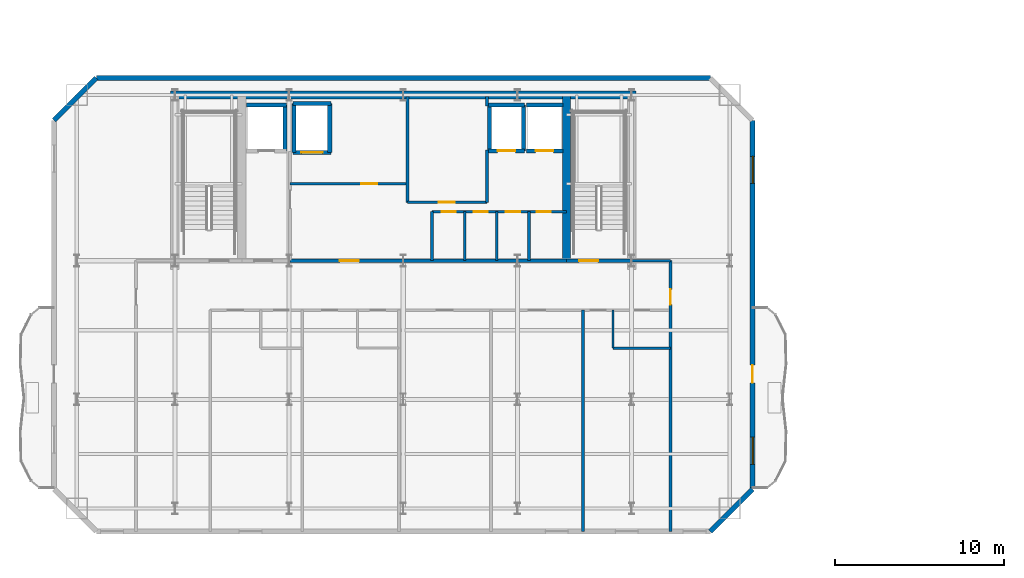
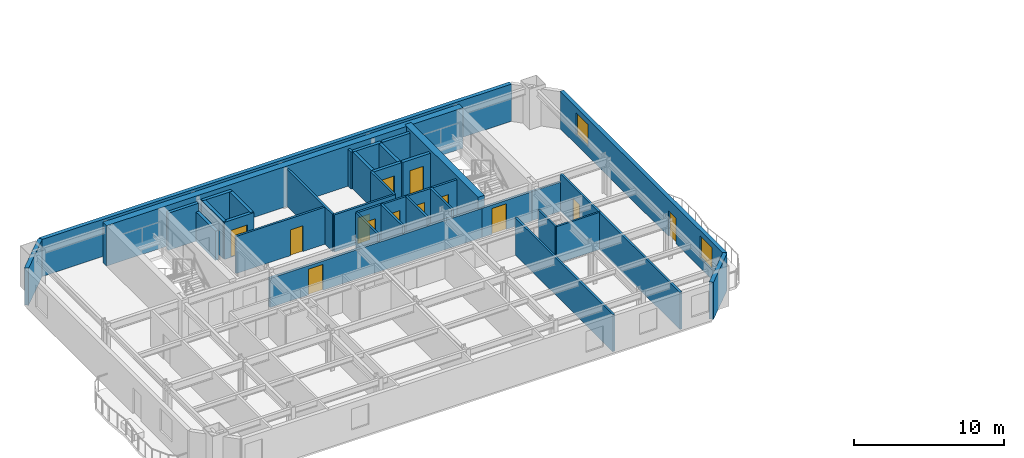
# One storey, part 6 of 13: 35 walls, 13 doors, 2 windows, 15 openings.
"""IFC4 building model written with IfcOpenShell, lengths in metres."""

from ifc_helpers import new_model, si_unit, direction, frame, frame_2d, origin, place, context, subcontext, project, spatial, rectangle, extrude, material, layer, layer_set, type_object, element, fill, save


model = new_model("IFC4")

# Units and contexts
model_context = context("Model", 3, precision=1e-05, world=origin(), true_north=direction((0.0, 1.0)))
body_context = subcontext(model_context, "Body", "Model", "MODEL_VIEW")
ifc_project = project(units=[si_unit("LENGTHUNIT", "METRE"), si_unit("AREAUNIT", "SQUARE_METRE"), si_unit("VOLUMEUNIT", "CUBIC_METRE"), si_unit("PLANEANGLEUNIT", "RADIAN"), si_unit("MASSUNIT", "GRAM", prefix="KILO")], contexts=[model_context])

# Site, building, storey
site_placement = place(None, origin())
site = spatial("IfcSite", under=ifc_project, at=site_placement, CompositionType="ELEMENT")
building_placement = place(site_placement, origin())
building = spatial("IfcBuilding", under=site, at=building_placement, Name="Haevon Station Towers", CompositionType="ELEMENT")
storey_placement = place(building_placement, frame((0.0, 0.0, 182.39990234375)))
storey = spatial("IfcBuildingStorey", under=building, at=storey_placement, Name="L50", CompositionType="ELEMENT", Elevation=182.39990234375)

# Wall, opening, door
ifc_material_1 = material(Name="Gypsum board on steel stud", Category="steel")
ifc_layer_1 = layer(ifc_material_1, 0.199951171875)
ifc_layer_set_1 = layer_set([ifc_layer_1], Name="Gypsum board on steel stud")
wall_type_1 = type_object("IfcWallType", Name="WL-COR200", PredefinedType="PARTITIONING", material=ifc_layer_set_1)
wall_1_placement = place(storey_placement, frame((47.14990234375, 38.199951171875, 0.0), z_axis=(0.0, 0.0, 1.0), x_axis=(1.0, 0.0, 0.0)))
wall_1 = element("IfcWall", 1, at=wall_1_placement, inside=storey, type_object=wall_type_1, Name="WL-ST-ST2-L50", PredefinedType="PARTITIONING", context=body_context, shape_type="SweptSolid", body=[
    extrude(rectangle(XDim=3.85009765625, YDim=0.199951171875, at=frame_2d((1.925048828125, 0.0))), origin(), (0.0, 0.0, 1.0), 2.380126953125),
])
opening_1_placement = place(wall_1_placement, frame((0.75, 0.0, 0.0)))
opening_1 = element("IfcOpeningElement", 2, at=opening_1_placement, cuts=wall_1, Name="Opening DR-ST-ST2-L50", PredefinedType="OPENING", context=body_context, shape_type="SweptSolid", body=[
    extrude(rectangle(XDim=1.1201171875, YDim=2.10009765625, at=frame_2d((0.56005859375, 1.050048828125))), frame((0.0, 0.10986328125, 0.0), z_axis=(0.0, -1.0, 0.0), x_axis=(1.0, 0.0, 0.0)), (0.0, 0.0, 1.0), 0.219970703125),
])
ifc_material_2 = material(Name="Engineered oak timber", Category="wood")
door_type_1 = type_object("IfcDoorType", Name="DR-ST-1120", OperationType="NOTDEFINED", PredefinedType="DOOR", material=ifc_material_2)
door_1_placement = place(opening_1_placement, origin())
door_1 = element("IfcDoor", 3, at=door_1_placement, inside=storey, type_object=door_type_1, Name="L50 Escape Stair ST2 Fire Door", OperationType="SINGLE_SWING_RIGHT", OverallHeight=2.10009765625, OverallWidth=1.1201171875, PredefinedType="DOOR", context=body_context, shape_type="SweptSolid", body=[
    extrude(rectangle(XDim=1.1201171875, YDim=2.10009765625, at=frame_2d((0.56005859375, 1.050048828125))), frame((0.0, 0.02490234375, 0.0), z_axis=(0.0, -1.0, 0.0), x_axis=(1.0, 0.0, 0.0)), (0.0, 0.0, 1.0), 0.050048828125),
])
fill(opening_1, door_1)

wall_2_placement = place(storey_placement, frame((30.800048828125, 38.199951171875, 0.0), z_axis=(0.0, 0.0, 1.0), x_axis=(1.0, 0.0, 0.0)))
wall_2 = element("IfcWall", 4, at=wall_2_placement, inside=storey, type_object=wall_type_1, Name="WL-T1CLB-L50", PredefinedType="PARTITIONING", context=body_context, shape_type="SweptSolid", body=[
    extrude(rectangle(XDim=16.349853515625, YDim=0.199951171875, at=frame_2d((8.1748046875, 0.0))), origin(), (0.0, 0.0, 1.0), 2.380126953125),
])
opening_2_placement = place(wall_2_placement, frame((2.949951171875, 0.0, 0.0)))
opening_2 = element("IfcOpeningElement", 5, at=opening_2_placement, cuts=wall_2, Name="Opening DR-T1CLB-L50-1", PredefinedType="OPENING", context=body_context, shape_type="SweptSolid", body=[
    extrude(rectangle(XDim=1.1201171875, YDim=2.10009765625, at=frame_2d((0.56005859375, 1.050048828125))), frame((0.0, 0.10986328125, 0.0), z_axis=(0.0, -1.0, 0.0), x_axis=(1.0, 0.0, 0.0)), (0.0, 0.0, 1.0), 0.219970703125),
])
door_2_placement = place(opening_2_placement, origin())
door_2 = element("IfcDoor", 6, at=door_2_placement, inside=storey, type_object=door_type_1, Name="L50 Tower 1 Core Lift Lobby Door 1", OperationType="SINGLE_SWING_LEFT", OverallHeight=2.10009765625, OverallWidth=1.1201171875, PredefinedType="DOOR", context=body_context, shape_type="SweptSolid", body=[
    extrude(rectangle(XDim=1.1201171875, YDim=2.10009765625, at=frame_2d((0.56005859375, 1.050048828125))), frame((0.0, 0.02490234375, 0.0), z_axis=(0.0, -1.0, 0.0), x_axis=(1.0, 0.0, 0.0)), (0.0, 0.0, 1.0), 0.050048828125),
])
fill(opening_2, door_2)

# Walls
ifc_material_3 = material(Name="Concrete C60/75", Category="concrete")
ifc_layer_2 = layer(ifc_material_3, 0.5)
ifc_layer_set_2 = layer_set([ifc_layer_2], Name="Concrete C60/75")
wall_type_2 = type_object("IfcWallType", Name="WL-CR500", PredefinedType="SHEAR", material=ifc_layer_set_2)
wall_3_placement = place(storey_placement, frame((23.75, 48.0, 0.0), z_axis=(0.0, 0.0, 1.0), x_axis=(1.0, 0.0, 0.0)))
element("IfcWall", 7, at=wall_3_placement, inside=storey, type_object=wall_type_2, Name="WL-T1CR-L50-N", PredefinedType="SHEAR", context=body_context, shape_type="SweptSolid", body=[
    extrude(rectangle(XDim=27.5, YDim=0.5, at=frame_2d((13.75, 0.0))), origin(), (0.0, 0.0, 1.0), 3.300048828125),
])
wall_4_placement = place(storey_placement, frame((47.14990234375, 38.199951171875, 0.0), z_axis=(0.0, 0.0, 1.0), x_axis=(0.0, 1.0, 0.0)))
element("IfcWall", 8, at=wall_4_placement, inside=storey, type_object=wall_type_2, Name="WL-T1CR-L50-M2", PredefinedType="SHEAR", context=body_context, shape_type="SweptSolid", body=[
    extrude(rectangle(XDim=9.800048828125, YDim=0.5, at=frame_2d((4.89990234375, 0.0))), origin(), (0.0, 0.0, 1.0), 3.300048828125),
])
ifc_material_4 = material(Name="Precast concrete C45/55", Category="concrete")
ifc_layer_3 = layer(ifc_material_4, 0.300048828125)
ifc_layer_set_3 = layer_set([ifc_layer_3], Name="Precast concrete C45/55")
wall_type_3 = type_object("IfcWallType", Name="WL-EXT-PIER300", PredefinedType="SOLIDWALL", material=ifc_layer_set_3)
wall_5_placement = place(storey_placement, frame((16.85009765625, 46.5, 0.0), z_axis=(0.0, 0.0, 1.0), x_axis=(0.707106781187, 0.707106781187, 0.0)))
element("IfcWall", 9, at=wall_5_placement, inside=storey, type_object=wall_type_3, Name="WL-T1-L50-NWC", PredefinedType="SOLIDWALL", context=body_context, shape_type="SweptSolid", body=[
    extrude(rectangle(XDim=3.53564453125, YDim=0.300048828125, at=frame_2d((1.767822265625, 0.0))), origin(), (0.0, 0.0, 1.0), 3.030029296875),
])
wall_6_placement = place(storey_placement, frame((19.35009765625, 49.0, 0.0), z_axis=(0.0, 0.0, 1.0), x_axis=(1.0, 0.0, 0.0)))
element("IfcWall", 10, at=wall_6_placement, inside=storey, type_object=wall_type_3, Name="WL-T1-L50-N", PredefinedType="SOLIDWALL", context=body_context, shape_type="SweptSolid", body=[
    extrude(rectangle(XDim=36.2998046875, YDim=0.300048828125, at=frame_2d((18.14990234375, 0.0))), origin(), (0.0, 0.0, 1.0), 3.030029296875),
])

# Wall, openings, door, windows
wall_7_placement = place(storey_placement, frame((58.14990234375, 46.5, 0.0), z_axis=(0.0, 0.0, 1.0), x_axis=(0.0, -1.0, 0.0)))
wall_7 = element("IfcWall", 11, at=wall_7_placement, inside=storey, type_object=wall_type_3, Name="WL-T1-L50-E", PredefinedType="SOLIDWALL", context=body_context, shape_type="SweptSolid", body=[
    extrude(rectangle(XDim=21.800048828125, YDim=0.300048828125, at=frame_2d((10.89990234375, 0.0))), origin(), (0.0, 0.0, 1.0), 3.030029296875),
])
opening_3_placement = place(wall_7_placement, frame((14.47509765625, 0.0, 0.0)))
opening_3 = element("IfcOpeningElement", 12, at=opening_3_placement, cuts=wall_7, Name="Opening DR-T1-SCAL-L50-E", PredefinedType="OPENING", context=body_context, shape_type="SweptSolid", body=[
    extrude(rectangle(XDim=1.050048828125, YDim=2.10009765625, at=frame_2d((0.52490234375, 1.050048828125))), frame((0.0, 0.159912109375, 0.0), z_axis=(0.0, -1.0, 0.0), x_axis=(1.0, 0.0, 0.0)), (0.0, 0.0, 1.0), 0.320068359375),
])
opening_4_placement = place(wall_7_placement, frame((2.128662109375, 0.0, 0.800048828125)))
opening_4 = element("IfcOpeningElement", 13, at=opening_4_placement, cuts=wall_7, Name="Opening WN-END160", PredefinedType="OPENING", context=body_context, shape_type="SweptSolid", body=[
    extrude(rectangle(XDim=1.60009765625, YDim=1.800048828125, at=frame_2d((0.800048828125, 0.89990234375))), frame((0.0, 0.159912109375, 0.0), z_axis=(0.0, -1.0, 0.0), x_axis=(1.0, 0.0, 0.0)), (0.0, 0.0, 1.0), 0.320068359375),
])
opening_5_placement = place(wall_7_placement, frame((18.735595703125, 0.0, 0.800048828125)))
opening_5 = element("IfcOpeningElement", 14, at=opening_5_placement, cuts=wall_7, Name="Opening WN-END160", PredefinedType="OPENING", context=body_context, shape_type="SweptSolid", body=[
    extrude(rectangle(XDim=1.60009765625, YDim=1.800048828125, at=frame_2d((0.800048828125, 0.89990234375))), frame((0.0, 0.159912109375, 0.0), z_axis=(0.0, -1.0, 0.0), x_axis=(1.0, 0.0, 0.0)), (0.0, 0.0, 1.0), 0.320068359375),
])
ifc_material_5 = material(Name="Thermally broken anodised aluminium and laminated safety glass", Category="aluminium")
door_type_2 = type_object("IfcDoorType", Name="DR-BALC-1050", OperationType="NOTDEFINED", PredefinedType="DOOR", material=ifc_material_5)
door_3_placement = place(opening_3_placement, origin())
door_3 = element("IfcDoor", 15, at=door_3_placement, inside=storey, type_object=door_type_2, Name="Tower 1 L50 East Scalloped Balcony Door", OperationType="SINGLE_SWING_RIGHT", OverallHeight=2.10009765625, OverallWidth=1.050048828125, PredefinedType="DOOR", context=body_context, shape_type="SweptSolid", body=[
    extrude(rectangle(XDim=1.050048828125, YDim=2.10009765625, at=frame_2d((0.52490234375, 1.050048828125))), frame((0.0, 0.02490234375, 0.0), z_axis=(0.0, -1.0, 0.0), x_axis=(1.0, 0.0, 0.0)), (0.0, 0.0, 1.0), 0.050048828125),
])
fill(opening_3, door_3)
ifc_material_6 = material(Name="Low-E triple glazing in thermally broken aluminium", Category="aluminium")
window_type = type_object("IfcWindowType", Name="WN-END160", PartitioningType="SINGLE_PANEL", PredefinedType="WINDOW", material=ifc_material_6)
window_1_placement = place(opening_4_placement, origin())
window_1 = element("IfcWindow", 16, at=window_1_placement, inside=storey, type_object=window_type, Name="WN-T1-L50-E01", OverallHeight=1.800048828125, OverallWidth=1.60009765625, PartitioningType="SINGLE_PANEL", PredefinedType="WINDOW", context=body_context, shape_type="SweptSolid", body=[
    extrude(rectangle(XDim=1.60009765625, YDim=1.800048828125, at=frame_2d((0.800048828125, 0.89990234375))), frame((0.0, 0.030029296875, 0.0), z_axis=(0.0, -1.0, 0.0), x_axis=(1.0, 0.0, 0.0)), (0.0, 0.0, 1.0), 0.06005859375),
])
fill(opening_4, window_1)
window_2_placement = place(opening_5_placement, origin())
window_2 = element("IfcWindow", 17, at=window_2_placement, inside=storey, type_object=window_type, Name="WN-T1-L50-E02", OverallHeight=1.800048828125, OverallWidth=1.60009765625, PartitioningType="SINGLE_PANEL", PredefinedType="WINDOW", context=body_context, shape_type="SweptSolid", body=[
    extrude(rectangle(XDim=1.60009765625, YDim=1.800048828125, at=frame_2d((0.800048828125, 0.89990234375))), frame((0.0, 0.030029296875, 0.0), z_axis=(0.0, -1.0, 0.0), x_axis=(1.0, 0.0, 0.0)), (0.0, 0.0, 1.0), 0.06005859375),
])
fill(opening_5, window_2)

# Walls
wall_8_placement = place(storey_placement, frame((58.14990234375, 24.699951171875, 0.0), z_axis=(0.0, 0.0, 1.0), x_axis=(-0.707106781187, -0.707106781187, 0.0)))
element("IfcWall", 18, at=wall_8_placement, inside=storey, type_object=wall_type_3, Name="WL-T1-L50-SEC", PredefinedType="SOLIDWALL", context=body_context, shape_type="SweptSolid", body=[
    extrude(rectangle(XDim=3.53564453125, YDim=0.300048828125, at=frame_2d((1.767822265625, 0.0))), origin(), (0.0, 0.0, 1.0), 3.030029296875),
])
ifc_layer_4 = layer(ifc_material_1, 0.125)
ifc_layer_set_4 = layer_set([ifc_layer_4], Name="Gypsum board on steel stud")
wall_type_4 = type_object("IfcWallType", Name="WL-PRT125", PredefinedType="PARTITIONING", material=ifc_layer_set_4)
wall_9_placement = place(storey_placement, frame((49.908203125, 33.030029296875, 0.0), z_axis=(0.0, 0.0, 1.0), x_axis=(0.0, 1.0, 0.0)))
element("IfcWall", 19, at=wall_9_placement, inside=storey, type_object=wall_type_4, Name="WL-T1PT-L50-15", PredefinedType="PARTITIONING", context=body_context, shape_type="SweptSolid", body=[
    extrude(rectangle(XDim=2.25, YDim=0.125, at=frame_2d((1.125, 0.0))), origin(), (0.0, 0.0, 1.0), 3.030029296875),
])
ifc_layer_5 = layer(ifc_material_1, 0.139892578125)
ifc_layer_set_5 = layer_set([ifc_layer_5], Name="Gypsum board on steel stud")
wall_type_5 = type_object("IfcWallType", Name="WL-PRT140", PredefinedType="PARTITIONING", material=ifc_layer_set_5)
wall_10_placement = place(storey_placement, frame((49.908203125, 33.030029296875, 0.0), z_axis=(0.0, 0.0, 1.0), x_axis=(1.0, 0.0, 0.0)))
element("IfcWall", 20, at=wall_10_placement, inside=storey, type_object=wall_type_5, Name="WL-T1PT-L50-14", PredefinedType="PARTITIONING", context=body_context, shape_type="SweptSolid", body=[
    extrude(rectangle(XDim=3.391845703125, YDim=0.139892578125, at=frame_2d((1.69580078125, 0.0))), origin(), (0.0, 0.0, 1.0), 3.030029296875),
])

# Wall, opening, door
ifc_layer_6 = layer(ifc_material_1, 0.159912109375)
ifc_layer_set_6 = layer_set([ifc_layer_6], Name="Gypsum board on steel stud")
wall_type_6 = type_object("IfcWallType", Name="WL-PRT160", PredefinedType="PARTITIONING", material=ifc_layer_set_6)
wall_11_placement = place(storey_placement, frame((30.800048828125, 42.75, 0.0), z_axis=(0.0, 0.0, 1.0), x_axis=(1.0, 0.0, 0.0)))
wall_11 = element("IfcWall", 21, at=wall_11_placement, inside=storey, type_object=wall_type_6, Name="WL-T1CW-L50-01", PredefinedType="PARTITIONING", context=body_context, shape_type="SweptSolid", body=[
    extrude(rectangle(XDim=6.949951171875, YDim=0.159912109375, at=frame_2d((3.47509765625, 0.0))), origin(), (0.0, 0.0, 1.0), 3.030029296875),
])
opening_6_placement = place(wall_11_placement, frame((4.199951171875, 0.0, 0.0)))
opening_6 = element("IfcOpeningElement", 22, at=opening_6_placement, cuts=wall_11, Name="Opening DR-WL-T1CW-L50-01-1", PredefinedType="OPENING", context=body_context, shape_type="SweptSolid", body=[
    extrude(rectangle(XDim=0.949951171875, YDim=2.10009765625, at=frame_2d((0.47509765625, 1.050048828125))), frame((0.0, 0.08984375, 0.0), z_axis=(0.0, -1.0, 0.0), x_axis=(1.0, 0.0, 0.0)), (0.0, 0.0, 1.0), 0.179931640625),
])
door_type_3 = type_object("IfcDoorType", Name="DR-FD60-950", OperationType="NOTDEFINED", PredefinedType="DOOR", material=ifc_material_2)
door_4_placement = place(opening_6_placement, origin())
door_4 = element("IfcDoor", 23, at=door_4_placement, inside=storey, type_object=door_type_3, Name="L50 Tower 1 Core Room Door 1-1", OperationType="SINGLE_SWING_LEFT", OverallHeight=2.10009765625, OverallWidth=0.949951171875, PredefinedType="DOOR", context=body_context, shape_type="SweptSolid", body=[
    extrude(rectangle(XDim=0.949951171875, YDim=2.10009765625, at=frame_2d((0.47509765625, 1.050048828125))), frame((0.0, 0.02490234375, 0.0), z_axis=(0.0, -1.0, 0.0), x_axis=(1.0, 0.0, 0.0)), (0.0, 0.0, 1.0), 0.050048828125),
])
fill(opening_6, door_4)

# Wall
wall_12_placement = place(storey_placement, frame((37.75, 41.64990234375, 0.0), z_axis=(0.0, 0.0, 1.0), x_axis=(0.0, 1.0, 0.0)))
element("IfcWall", 24, at=wall_12_placement, inside=storey, type_object=wall_type_6, Name="WL-T1CW-L50-02", PredefinedType="PARTITIONING", context=body_context, shape_type="SweptSolid", body=[
    extrude(rectangle(XDim=6.25, YDim=0.159912109375, at=frame_2d((3.125, 0.0))), origin(), (0.0, 0.0, 1.0), 3.030029296875),
])

# Wall, opening, door
wall_13_placement = place(storey_placement, frame((37.75, 41.64990234375, 0.0), z_axis=(0.0, 0.0, 1.0), x_axis=(1.0, 0.0, 0.0)))
wall_13 = element("IfcWall", 25, at=wall_13_placement, inside=storey, type_object=wall_type_6, Name="WL-T1CW-L50-03", PredefinedType="PARTITIONING", context=body_context, shape_type="SweptSolid", body=[
    extrude(rectangle(XDim=4.699951171875, YDim=0.159912109375, at=frame_2d((2.35009765625, 0.0))), origin(), (0.0, 0.0, 1.0), 3.030029296875),
])
opening_7_placement = place(wall_13_placement, frame((1.85009765625, 0.0, 0.0)))
opening_7 = element("IfcOpeningElement", 26, at=opening_7_placement, cuts=wall_13, Name="Opening DR-WL-T1CW-L50-03-1", PredefinedType="OPENING", context=body_context, shape_type="SweptSolid", body=[
    extrude(rectangle(XDim=0.949951171875, YDim=2.10009765625, at=frame_2d((0.47509765625, 1.050048828125))), frame((0.0, 0.08984375, 0.0), z_axis=(0.0, -1.0, 0.0), x_axis=(1.0, 0.0, 0.0)), (0.0, 0.0, 1.0), 0.179931640625),
])
door_5_placement = place(opening_7_placement, origin())
door_5 = element("IfcDoor", 27, at=door_5_placement, inside=storey, type_object=door_type_3, Name="L50 Tower 1 Core Room Door 3-1", OperationType="SINGLE_SWING_RIGHT", OverallHeight=2.10009765625, OverallWidth=0.949951171875, PredefinedType="DOOR", context=body_context, shape_type="SweptSolid", body=[
    extrude(rectangle(XDim=0.949951171875, YDim=2.10009765625, at=frame_2d((0.47509765625, 1.050048828125))), frame((0.0, 0.02490234375, 0.0), z_axis=(0.0, -1.0, 0.0), x_axis=(1.0, 0.0, 0.0)), (0.0, 0.0, 1.0), 0.050048828125),
])
fill(opening_7, door_5)

# Walls
wall_14_placement = place(storey_placement, frame((42.449951171875, 41.64990234375, 0.0), z_axis=(0.0, 0.0, 1.0), x_axis=(0.0, 1.0, 0.0)))
element("IfcWall", 28, at=wall_14_placement, inside=storey, type_object=wall_type_6, Name="WL-T1CW-L50-04", PredefinedType="PARTITIONING", context=body_context, shape_type="SweptSolid", body=[
    extrude(rectangle(XDim=3.10009765625, YDim=0.159912109375, at=frame_2d((1.550048828125, 0.0))), origin(), (0.0, 0.0, 1.0), 3.030029296875),
])
wall_15_placement = place(storey_placement, frame((42.449951171875, 47.35009765625, 0.0), z_axis=(0.0, 0.0, 1.0), x_axis=(0.0, 1.0, 0.0)))
element("IfcWall", 29, at=wall_15_placement, inside=storey, type_object=wall_type_6, Name="WL-T1CW-L50-05", PredefinedType="PARTITIONING", context=body_context, shape_type="SweptSolid", body=[
    extrude(rectangle(XDim=0.5498046875, YDim=0.159912109375, at=frame_2d((0.27490234375, 0.0))), origin(), (0.0, 0.0, 1.0), 3.030029296875),
])
for number, where, z_axis, x_axis, name in (
    (30, (39.199951171875, 38.199951171875, 0.0), (0.0, 0.0, 1.0), (0.0, 1.0, 0.0), "WL-T1CW-L50-06"),
    (31, (41.1298828125, 38.199951171875, 0.0), (0.0, 0.0, 1.0), (0.0, 1.0, 0.0), "WL-T1CW-L50-07"),
    (32, (43.030029296875, 38.199951171875, 0.0), (0.0, 0.0, 1.0), (0.0, 1.0, 0.0), "WL-T1CW-L50-08"),
    (33, (44.929931640625, 38.199951171875, 0.0), (0.0, 0.0, 1.0), (0.0, 1.0, 0.0), "WL-T1CW-L50-09"),
):
    element("IfcWall", number, at=place(storey_placement, frame(where, z_axis=z_axis, x_axis=x_axis)), inside=storey, type_object=wall_type_6, Name=name, PredefinedType="PARTITIONING", context=body_context, shape_type="SweptSolid", body=[
        extrude(rectangle(XDim=2.900146484375, YDim=0.159912109375, at=frame_2d((1.4501953125, 0.0))), origin(), (0.0, 0.0, 1.0), 3.030029296875),
    ])

# Wall, openings, doors
wall_16_placement = place(storey_placement, frame((39.199951171875, 41.10009765625, 0.0), z_axis=(0.0, 0.0, 1.0), x_axis=(1.0, 0.0, 0.0)))
wall_16 = element("IfcWall", 34, at=wall_16_placement, inside=storey, type_object=wall_type_6, Name="WL-T1CW-L50-10", PredefinedType="PARTITIONING", context=body_context, shape_type="SweptSolid", body=[
    extrude(rectangle(XDim=7.949951171875, YDim=0.159912109375, at=frame_2d((3.97509765625, 0.0))), origin(), (0.0, 0.0, 1.0), 3.030029296875),
])
opening_8_placement = place(wall_16_placement, frame((0.56005859375, 0.0, 0.0)))
opening_8 = element("IfcOpeningElement", 35, at=opening_8_placement, cuts=wall_16, Name="Opening DR-WL-T1CW-L50-10-1", PredefinedType="OPENING", context=body_context, shape_type="SweptSolid", body=[
    extrude(rectangle(XDim=0.85009765625, YDim=2.050048828125, at=frame_2d((0.425048828125, 1.02490234375))), frame((0.0, 0.08984375, 0.0), z_axis=(0.0, -1.0, 0.0), x_axis=(1.0, 0.0, 0.0)), (0.0, 0.0, 1.0), 0.179931640625),
])
opening_9_placement = place(wall_16_placement, frame((2.455078125, 0.0, 0.0)))
opening_9 = element("IfcOpeningElement", 36, at=opening_9_placement, cuts=wall_16, Name="Opening DR-WL-T1CW-L50-10-2", PredefinedType="OPENING", context=body_context, shape_type="SweptSolid", body=[
    extrude(rectangle(XDim=0.85009765625, YDim=2.050048828125, at=frame_2d((0.425048828125, 1.02490234375))), frame((0.0, 0.08984375, 0.0), z_axis=(0.0, -1.0, 0.0), x_axis=(1.0, 0.0, 0.0)), (0.0, 0.0, 1.0), 0.179931640625),
])
opening_10_placement = place(wall_16_placement, frame((4.35498046875, 0.0, 0.0)))
opening_10 = element("IfcOpeningElement", 37, at=opening_10_placement, cuts=wall_16, Name="Opening DR-WL-T1CW-L50-10-3", PredefinedType="OPENING", context=body_context, shape_type="SweptSolid", body=[
    extrude(rectangle(XDim=0.85009765625, YDim=2.050048828125, at=frame_2d((0.425048828125, 1.02490234375))), frame((0.0, 0.08984375, 0.0), z_axis=(0.0, -1.0, 0.0), x_axis=(1.0, 0.0, 0.0)), (0.0, 0.0, 1.0), 0.179931640625),
])
opening_11_placement = place(wall_16_placement, frame((6.179931640625, 0.0, 0.0)))
opening_11 = element("IfcOpeningElement", 38, at=opening_11_placement, cuts=wall_16, Name="Opening DR-WL-T1CW-L50-10-4", PredefinedType="OPENING", context=body_context, shape_type="SweptSolid", body=[
    extrude(rectangle(XDim=0.85009765625, YDim=2.050048828125, at=frame_2d((0.425048828125, 1.02490234375))), frame((0.0, 0.08984375, 0.0), z_axis=(0.0, -1.0, 0.0), x_axis=(1.0, 0.0, 0.0)), (0.0, 0.0, 1.0), 0.179931640625),
])
door_type_4 = type_object("IfcDoorType", Name="DR-FD30-850", OperationType="NOTDEFINED", PredefinedType="DOOR", material=ifc_material_2)
door_6_placement = place(opening_8_placement, origin())
door_6 = element("IfcDoor", 39, at=door_6_placement, inside=storey, type_object=door_type_4, Name="L50 Tower 1 Core Room Door 10-1", OperationType="SINGLE_SWING_LEFT", OverallHeight=2.050048828125, OverallWidth=0.85009765625, PredefinedType="DOOR", context=body_context, shape_type="SweptSolid", body=[
    extrude(rectangle(XDim=0.85009765625, YDim=2.050048828125, at=frame_2d((0.425048828125, 1.02490234375))), frame((0.0, 0.02490234375, 0.0), z_axis=(0.0, -1.0, 0.0), x_axis=(1.0, 0.0, 0.0)), (0.0, 0.0, 1.0), 0.050048828125),
])
fill(opening_8, door_6)
door_7_placement = place(opening_9_placement, origin())
door_7 = element("IfcDoor", 40, at=door_7_placement, inside=storey, type_object=door_type_4, Name="L50 Tower 1 Core Room Door 10-2", OperationType="SINGLE_SWING_RIGHT", OverallHeight=2.050048828125, OverallWidth=0.85009765625, PredefinedType="DOOR", context=body_context, shape_type="SweptSolid", body=[
    extrude(rectangle(XDim=0.85009765625, YDim=2.050048828125, at=frame_2d((0.425048828125, 1.02490234375))), frame((0.0, 0.02490234375, 0.0), z_axis=(0.0, -1.0, 0.0), x_axis=(1.0, 0.0, 0.0)), (0.0, 0.0, 1.0), 0.050048828125),
])
fill(opening_9, door_7)
door_8_placement = place(opening_10_placement, origin())
door_8 = element("IfcDoor", 41, at=door_8_placement, inside=storey, type_object=door_type_4, Name="L50 Tower 1 Core Room Door 10-3", OperationType="SINGLE_SWING_LEFT", OverallHeight=2.050048828125, OverallWidth=0.85009765625, PredefinedType="DOOR", context=body_context, shape_type="SweptSolid", body=[
    extrude(rectangle(XDim=0.85009765625, YDim=2.050048828125, at=frame_2d((0.425048828125, 1.02490234375))), frame((0.0, 0.02490234375, 0.0), z_axis=(0.0, -1.0, 0.0), x_axis=(1.0, 0.0, 0.0)), (0.0, 0.0, 1.0), 0.050048828125),
])
fill(opening_10, door_8)
door_9_placement = place(opening_11_placement, origin())
door_9 = element("IfcDoor", 42, at=door_9_placement, inside=storey, type_object=door_type_4, Name="L50 Tower 1 Core Room Door 10-4", OperationType="SINGLE_SWING_RIGHT", OverallHeight=2.050048828125, OverallWidth=0.85009765625, PredefinedType="DOOR", context=body_context, shape_type="SweptSolid", body=[
    extrude(rectangle(XDim=0.85009765625, YDim=2.050048828125, at=frame_2d((0.425048828125, 1.02490234375))), frame((0.0, 0.02490234375, 0.0), z_axis=(0.0, -1.0, 0.0), x_axis=(1.0, 0.0, 0.0)), (0.0, 0.0, 1.0), 0.050048828125),
])
fill(opening_11, door_9)

# Wall
wall_17_placement = place(storey_placement, frame((51.0, 38.199951171875, 0.0), z_axis=(0.0, 0.0, 1.0), x_axis=(1.0, 0.0, 0.0)))
element("IfcWall", 43, at=wall_17_placement, inside=storey, type_object=wall_type_6, Name="WL-T1PT-L50-03", PredefinedType="PARTITIONING", context=body_context, shape_type="SweptSolid", body=[
    extrude(rectangle(XDim=2.300048828125, YDim=0.159912109375, at=frame_2d((1.14990234375, 0.0))), origin(), (0.0, 0.0, 1.0), 2.380126953125),
])

# Wall, opening, door
wall_18_placement = place(storey_placement, frame((53.300048828125, 22.199951171875, 0.0), z_axis=(0.0, 0.0, 1.0), x_axis=(0.0, 1.0, 0.0)))
wall_18 = element("IfcWall", 44, at=wall_18_placement, inside=storey, type_object=wall_type_6, Name="WL-T1PT-L50-05", PredefinedType="PARTITIONING", context=body_context, shape_type="SweptSolid", body=[
    extrude(rectangle(XDim=16.0, YDim=0.159912109375, at=frame_2d((8.0, 0.0))), origin(), (0.0, 0.0, 1.0), 3.030029296875),
])
opening_12_placement = place(wall_18_placement, frame((13.39990234375, 0.0, 0.0)))
opening_12 = element("IfcOpeningElement", 45, at=opening_12_placement, cuts=wall_18, Name="Opening DR-WL-T1PT-L50-05-01", PredefinedType="OPENING", context=body_context, shape_type="SweptSolid", body=[
    extrude(rectangle(XDim=0.89990234375, YDim=2.050048828125, at=frame_2d((0.449951171875, 1.02490234375))), frame((0.0, 0.08984375, 0.0), z_axis=(0.0, -1.0, 0.0), x_axis=(1.0, 0.0, 0.0)), (0.0, 0.0, 1.0), 0.179931640625),
])
door_type_5 = type_object("IfcDoorType", Name="DR-INT-900", OperationType="NOTDEFINED", PredefinedType="DOOR", material=ifc_material_2)
door_10_placement = place(opening_12_placement, origin())
door_10 = element("IfcDoor", 46, at=door_10_placement, inside=storey, type_object=door_type_5, Name="L50 Tower 1 Room Door 5-1", OperationType="SINGLE_SWING_RIGHT", OverallHeight=2.050048828125, OverallWidth=0.89990234375, PredefinedType="DOOR", context=body_context, shape_type="SweptSolid", body=[
    extrude(rectangle(XDim=0.89990234375, YDim=2.050048828125, at=frame_2d((0.449951171875, 1.02490234375))), frame((0.0, 0.02490234375, 0.0), z_axis=(0.0, -1.0, 0.0), x_axis=(1.0, 0.0, 0.0)), (0.0, 0.0, 1.0), 0.050048828125),
])
fill(opening_12, door_10)

# Walls
wall_19_placement = place(storey_placement, frame((48.128173828125, 22.199951171875, 0.0), z_axis=(0.0, 0.0, 1.0), x_axis=(0.0, 1.0, 0.0)))
element("IfcWall", 47, at=wall_19_placement, inside=storey, type_object=wall_type_6, Name="WL-T1PT-L50-13", PredefinedType="PARTITIONING", context=body_context, shape_type="SweptSolid", body=[
    extrude(rectangle(XDim=13.080078125, YDim=0.159912109375, at=frame_2d((6.5400390625, 0.0))), origin(), (0.0, 0.0, 1.0), 3.030029296875),
])
ifc_material_7 = material(Name="Concrete C40/50", Category="concrete")
ifc_layer_7 = layer(ifc_material_7, 0.239990234375)
ifc_layer_set_7 = layer_set([ifc_layer_7], Name="Concrete C40/50")
wall_type_7 = type_object("IfcWallType", Name="WL-SHF240", PredefinedType="PARTITIONING", material=ifc_layer_set_7)
wall_20_placement = place(storey_placement, frame((28.219970703125, 47.39990234375, 0.0), z_axis=(0.0, 0.0, 1.0), x_axis=(1.0, 0.0, 0.0)))
element("IfcWall", 48, at=wall_20_placement, inside=storey, type_object=wall_type_7, Name="WL-SHF-FL1-L50-N", PredefinedType="PARTITIONING", context=body_context, shape_type="SweptSolid", body=[
    extrude(rectangle(XDim=2.360107421875, YDim=0.239990234375, at=frame_2d((1.18017578125, 0.0))), origin(), (0.0, 0.0, 1.0), 3.030029296875),
])
wall_21_placement = place(storey_placement, frame((30.5, 44.699951171875, 0.0), z_axis=(0.0, 0.0, 1.0), x_axis=(0.0, 1.0, 0.0)))
element("IfcWall", 49, at=wall_21_placement, inside=storey, type_object=wall_type_7, Name="WL-SHF-FL1-L50-E", PredefinedType="PARTITIONING", context=body_context, shape_type="SweptSolid", body=[
    extrude(rectangle(XDim=2.699951171875, YDim=0.239990234375, at=frame_2d((1.35009765625, 0.0))), origin(), (0.0, 0.0, 1.0), 2.380126953125),
])

# Wall, opening, door
wall_22_placement = place(storey_placement, frame((30.969970703125, 44.60009765625, 0.0), z_axis=(0.0, 0.0, 1.0), x_axis=(1.0, 0.0, 0.0)))
wall_22 = element("IfcWall", 50, at=wall_22_placement, inside=storey, type_object=wall_type_7, Name="WL-SHF-SL1-L50", PredefinedType="PARTITIONING", context=body_context, shape_type="SweptSolid", body=[
    extrude(rectangle(XDim=2.260009765625, YDim=0.239990234375, at=frame_2d((1.1298828125, 0.0))), origin(), (0.0, 0.0, 1.0), 3.030029296875),
])
opening_13_placement = place(wall_22_placement, frame((0.5048828125, 0.0, 0.0)))
opening_13 = element("IfcOpeningElement", 51, at=opening_13_placement, cuts=wall_22, Name="Opening LD-SL1-L50", PredefinedType="OPENING", context=body_context, shape_type="SweptSolid", body=[
    extrude(rectangle(XDim=1.25, YDim=2.199951171875, at=frame_2d((0.625, 1.10009765625))), frame((0.0, 0.1298828125, 0.0), z_axis=(0.0, -1.0, 0.0), x_axis=(1.0, 0.0, 0.0)), (0.0, 0.0, 1.0), 0.260009765625),
])
ifc_material_8 = material(Name="Stainless steel and rated core", Category="steel")
door_type_6 = type_object("IfcDoorType", Name="LD-SL1250", OperationType="SLIDING_TO_LEFT", PredefinedType="DOOR", material=ifc_material_8)
door_11_placement = place(opening_13_placement, origin())
door_11 = element("IfcDoor", 52, at=door_11_placement, inside=storey, type_object=door_type_6, Name="L50 Lift SL1 Sliding Landing Door", OperationType="SLIDING_TO_LEFT", OverallHeight=2.199951171875, OverallWidth=1.25, PredefinedType="DOOR", context=body_context, shape_type="SweptSolid", body=[
    extrude(rectangle(XDim=1.25, YDim=2.199951171875, at=frame_2d((0.625, 1.10009765625))), frame((0.0, 0.02490234375, 0.0), z_axis=(0.0, -1.0, 0.0), x_axis=(1.0, 0.0, 0.0)), (0.0, 0.0, 1.0), 0.050048828125),
])
fill(opening_13, door_11)

# Walls
wall_23_placement = place(storey_placement, frame((30.969970703125, 47.5, 0.0), z_axis=(0.0, 0.0, 1.0), x_axis=(1.0, 0.0, 0.0)))
element("IfcWall", 53, at=wall_23_placement, inside=storey, type_object=wall_type_7, Name="WL-SHF-SL1-L50-N", PredefinedType="PARTITIONING", context=body_context, shape_type="SweptSolid", body=[
    extrude(rectangle(XDim=2.260009765625, YDim=0.239990234375, at=frame_2d((1.1298828125, 0.0))), origin(), (0.0, 0.0, 1.0), 3.030029296875),
])
for number, where, z_axis, x_axis, name in (
    (54, (31.050048828125, 44.60009765625, 0.0), (0.0, 0.0, 1.0), (0.0, 1.0, 0.0), "WL-SHF-SL1-L50-W"),
    (55, (33.14990234375, 44.60009765625, 0.0), (0.0, 0.0, 1.0), (0.0, 1.0, 0.0), "WL-SHF-SL1-L50-E"),
):
    element("IfcWall", number, at=place(storey_placement, frame(where, z_axis=z_axis, x_axis=x_axis)), inside=storey, type_object=wall_type_7, Name=name, PredefinedType="PARTITIONING", context=body_context, shape_type="SweptSolid", body=[
        extrude(rectangle(XDim=2.89990234375, YDim=0.239990234375, at=frame_2d((1.449951171875, 0.0))), origin(), (0.0, 0.0, 1.0), 3.030029296875),
    ])

# Wall, opening, door
wall_24_placement = place(storey_placement, frame((42.52001953125, 44.699951171875, 0.0), z_axis=(0.0, 0.0, 1.0), x_axis=(1.0, 0.0, 0.0)))
wall_24 = element("IfcWall", 56, at=wall_24_placement, inside=storey, type_object=wall_type_7, Name="WL-SHF-PL5-L50", PredefinedType="PARTITIONING", context=body_context, shape_type="SweptSolid", body=[
    extrude(rectangle(XDim=2.159912109375, YDim=0.239990234375, at=frame_2d((1.080078125, 0.0))), origin(), (0.0, 0.0, 1.0), 3.030029296875),
])
opening_14_placement = place(wall_24_placement, frame((0.554931640625, 0.0, 0.0)))
opening_14 = element("IfcOpeningElement", 57, at=opening_14_placement, cuts=wall_24, Name="Opening LD-PL5-L50", PredefinedType="OPENING", context=body_context, shape_type="SweptSolid", body=[
    extrude(rectangle(XDim=1.050048828125, YDim=2.14990234375, at=frame_2d((0.52490234375, 1.074951171875))), frame((0.0, 0.1298828125, 0.0), z_axis=(0.0, -1.0, 0.0), x_axis=(1.0, 0.0, 0.0)), (0.0, 0.0, 1.0), 0.260009765625),
])
door_type_7 = type_object("IfcDoorType", Name="LD-PL1050", OperationType="SLIDING_TO_LEFT", PredefinedType="DOOR", material=ifc_material_8)
door_12_placement = place(opening_14_placement, origin())
door_12 = element("IfcDoor", 58, at=door_12_placement, inside=storey, type_object=door_type_7, Name="L50 Lift PL5 Sliding Landing Door", OperationType="SLIDING_TO_LEFT", OverallHeight=2.14990234375, OverallWidth=1.050048828125, PredefinedType="DOOR", context=body_context, shape_type="SweptSolid", body=[
    extrude(rectangle(XDim=1.050048828125, YDim=2.14990234375, at=frame_2d((0.52490234375, 1.074951171875))), frame((0.0, 0.02490234375, 0.0), z_axis=(0.0, -1.0, 0.0), x_axis=(1.0, 0.0, 0.0)), (0.0, 0.0, 1.0), 0.050048828125),
])
fill(opening_14, door_12)

# Walls
wall_25_placement = place(storey_placement, frame((42.52001953125, 47.39990234375, 0.0), z_axis=(0.0, 0.0, 1.0), x_axis=(1.0, 0.0, 0.0)))
element("IfcWall", 59, at=wall_25_placement, inside=storey, type_object=wall_type_7, Name="WL-SHF-PL5-L50-N", PredefinedType="PARTITIONING", context=body_context, shape_type="SweptSolid", body=[
    extrude(rectangle(XDim=2.159912109375, YDim=0.239990234375, at=frame_2d((1.080078125, 0.0))), origin(), (0.0, 0.0, 1.0), 3.030029296875),
])
for number, where, z_axis, x_axis, name in (
    (60, (42.60009765625, 44.699951171875, 0.0), (0.0, 0.0, 1.0), (0.0, 1.0, 0.0), "WL-SHF-PL5-L50-W"),
    (61, (44.60009765625, 44.699951171875, 0.0), (0.0, 0.0, 1.0), (0.0, 1.0, 0.0), "WL-SHF-PL5-L50-E"),
):
    element("IfcWall", number, at=place(storey_placement, frame(where, z_axis=z_axis, x_axis=x_axis)), inside=storey, type_object=wall_type_7, Name=name, PredefinedType="PARTITIONING", context=body_context, shape_type="SweptSolid", body=[
        extrude(rectangle(XDim=2.699951171875, YDim=0.239990234375, at=frame_2d((1.35009765625, 0.0))), origin(), (0.0, 0.0, 1.0), 3.030029296875),
    ])

# Wall, opening, door
wall_26_placement = place(storey_placement, frame((44.77001953125, 44.699951171875, 0.0), z_axis=(0.0, 0.0, 1.0), x_axis=(1.0, 0.0, 0.0)))
wall_26 = element("IfcWall", 62, at=wall_26_placement, inside=storey, type_object=wall_type_7, Name="WL-SHF-PL6-L50", PredefinedType="PARTITIONING", context=body_context, shape_type="SweptSolid", body=[
    extrude(rectangle(XDim=2.159912109375, YDim=0.239990234375, at=frame_2d((1.080078125, 0.0))), origin(), (0.0, 0.0, 1.0), 3.030029296875),
])
opening_15_placement = place(wall_26_placement, frame((0.554931640625, 0.0, 0.0)))
opening_15 = element("IfcOpeningElement", 63, at=opening_15_placement, cuts=wall_26, Name="Opening LD-PL6-L50", PredefinedType="OPENING", context=body_context, shape_type="SweptSolid", body=[
    extrude(rectangle(XDim=1.050048828125, YDim=2.14990234375, at=frame_2d((0.52490234375, 1.074951171875))), frame((0.0, 0.1298828125, 0.0), z_axis=(0.0, -1.0, 0.0), x_axis=(1.0, 0.0, 0.0)), (0.0, 0.0, 1.0), 0.260009765625),
])
door_13_placement = place(opening_15_placement, origin())
door_13 = element("IfcDoor", 64, at=door_13_placement, inside=storey, type_object=door_type_7, Name="L50 Lift PL6 Sliding Landing Door", OperationType="SLIDING_TO_LEFT", OverallHeight=2.14990234375, OverallWidth=1.050048828125, PredefinedType="DOOR", context=body_context, shape_type="SweptSolid", body=[
    extrude(rectangle(XDim=1.050048828125, YDim=2.14990234375, at=frame_2d((0.52490234375, 1.074951171875))), frame((0.0, 0.02490234375, 0.0), z_axis=(0.0, -1.0, 0.0), x_axis=(1.0, 0.0, 0.0)), (0.0, 0.0, 1.0), 0.050048828125),
])
fill(opening_15, door_13)

# Wall
wall_27_placement = place(storey_placement, frame((44.77001953125, 47.39990234375, 0.0), z_axis=(0.0, 0.0, 1.0), x_axis=(1.0, 0.0, 0.0)))
element("IfcWall", 65, at=wall_27_placement, inside=storey, type_object=wall_type_7, Name="WL-SHF-PL6-L50-N", PredefinedType="PARTITIONING", context=body_context, shape_type="SweptSolid", body=[
    extrude(rectangle(XDim=2.159912109375, YDim=0.239990234375, at=frame_2d((1.080078125, 0.0))), origin(), (0.0, 0.0, 1.0), 3.030029296875),
])

save(model, "model.ifc")
